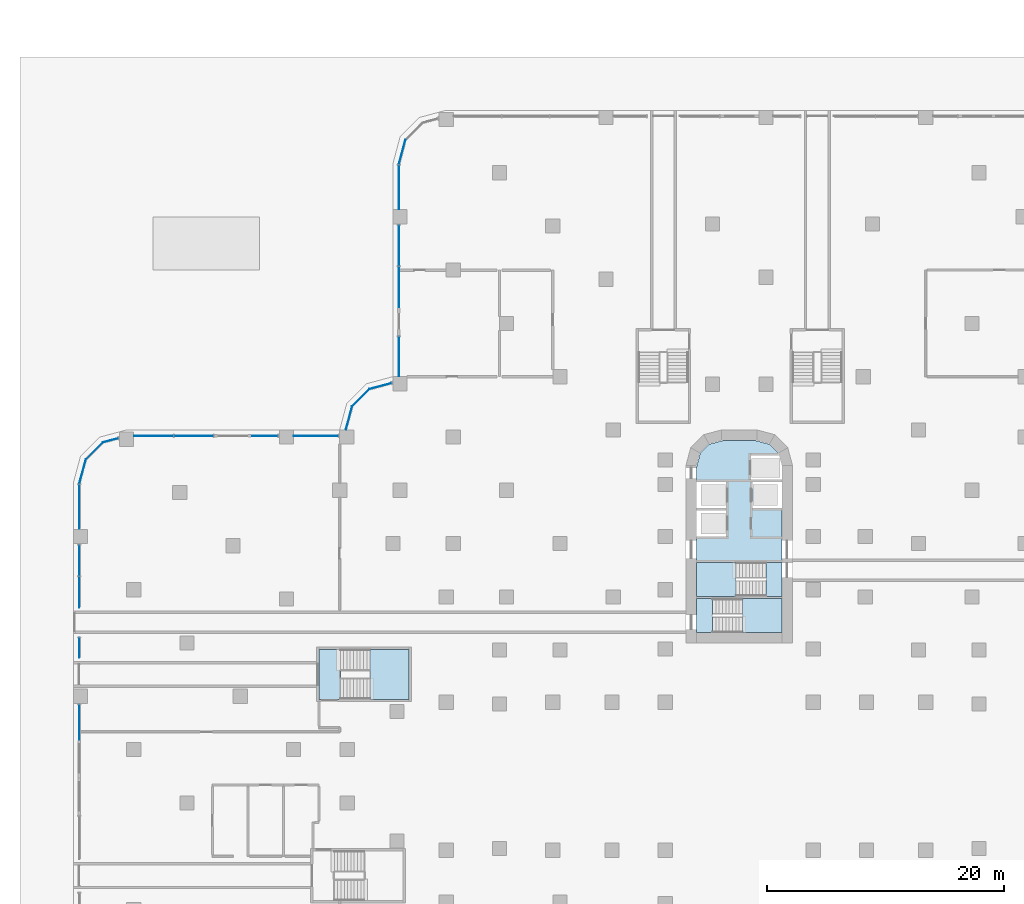
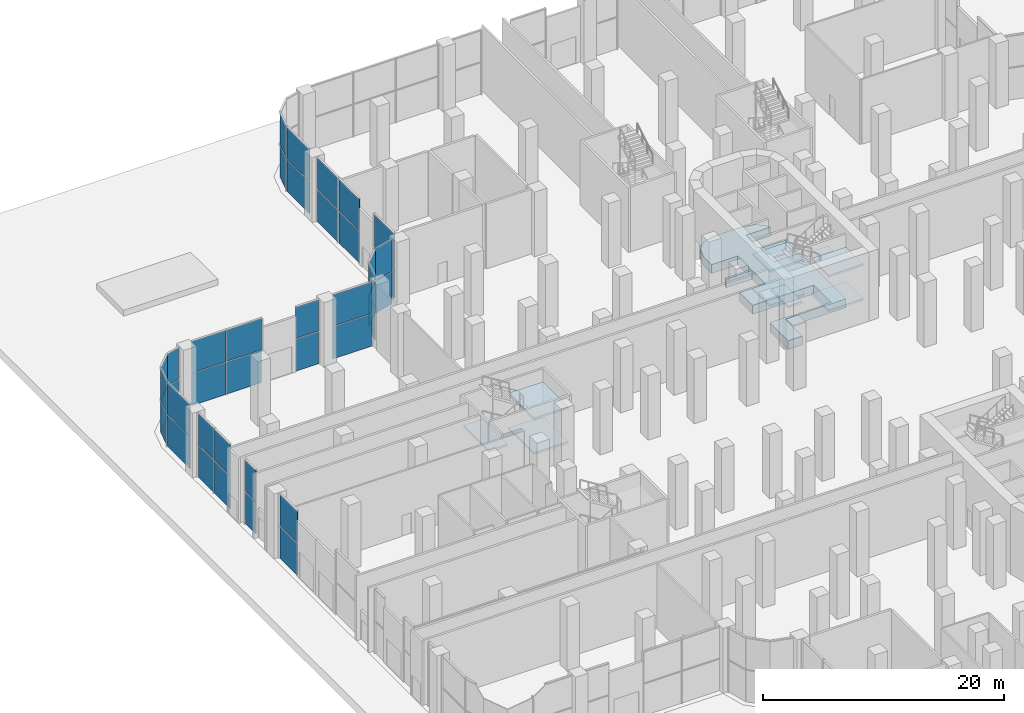
# One storey, part 17 of 34: 40 plates, 10 slabs, 13 elements without a shape of their own.
"""IFC4 building model written with IfcOpenShell, lengths in metres."""

from ifc_helpers import new_model, si_unit, direction, frame, origin, place, context, subcontext, project, spatial, polyline, outline, extrude, source, transform, mapped, material, layer, layer_set, type_object, element, aggregate, save


model = new_model("IFC4")

# Units and contexts
model_context = context("Model", 3, precision=1e-05, world=origin(), true_north=direction((0.0, 1.0)))
body_context = subcontext(model_context, "Body", "Model", "MODEL_VIEW")
ifc_project = project(units=[si_unit("LENGTHUNIT", "METRE"), si_unit("AREAUNIT", "SQUARE_METRE"), si_unit("VOLUMEUNIT", "CUBIC_METRE"), si_unit("PLANEANGLEUNIT", "RADIAN"), si_unit("MASSUNIT", "GRAM", prefix="KILO")], contexts=[model_context])

# Site, building, storey
site_placement = place(None, origin())
site = spatial("IfcSite", under=ifc_project, at=site_placement, CompositionType="ELEMENT")
building_placement = place(site_placement, origin())
building = spatial("IfcBuilding", under=site, at=building_placement, Name="Zarbagh Exchange Tower", CompositionType="ELEMENT")
storey_placement = place(building_placement, origin())
storey = spatial("IfcBuildingStorey", under=building, at=storey_placement, Name="L00", CompositionType="ELEMENT", Elevation=0.0)

# Slab
ifc_material_1 = material(Name="Concrete C50/60", Category="concrete")
ifc_layer_1 = layer(ifc_material_1, 0.89990234375)
ifc_layer_set_1 = layer_set([ifc_layer_1], Name="Core floor slab 900 C50/60")
slab_type_1 = type_object("IfcSlabType", Name="Core floor slab 900 C50/60", PredefinedType="FLOOR", material=ifc_layer_set_1)
slab_1_placement = place(storey_placement, frame((0.0, 0.0, -0.89990234375)))
element("IfcSlab", 1, at=slab_1_placement, inside=storey, type_object=slab_type_1, Name="S15 core N", PredefinedType="FLOOR", context=body_context, shape_type="SweptSolid", body=[
    extrude(outline(polyline([(-3.60009765625, 12.14990234375), (-3.60009765625, 15.199951171875), (2.25, 15.199951171875), (2.25, 18.050048828125), (-3.60009765625, 18.050048828125), (-3.60009765625, 20.25), (-1.10009765625, 20.25), (-1.10009765625, 22.449951171875), (-3.60009765625, 22.449951171875), (-3.60009765625, 22.64990234375), (-1.10009765625, 22.64990234375), (-1.10009765625, 24.85009765625), (-3.60009765625, 24.85009765625), (-3.60009765625, 26.131591796875), (-3.291259765625, 27.2841796875), (-2.5341796875, 28.041259765625), (-1.381591796875, 28.35009765625), (1.381591796875, 28.35009765625), (2.5341796875, 28.041259765625), (3.291259765625, 27.2841796875), (3.340576171875, 27.10009765625), (1.0, 27.10009765625), (1.0, 25.050048828125), (3.60009765625, 25.050048828125), (3.60009765625, 24.85009765625), (1.10009765625, 24.85009765625), (1.10009765625, 22.64990234375), (3.60009765625, 22.64990234375), (3.60009765625, 15.0), (-2.25, 15.0), (-2.25, 12.14990234375), (-3.60009765625, 12.14990234375)])), origin(), (0.0, 0.0, 1.0), 0.89990234375),
])

# Stair, slabs
ifc_material_2 = material(Name="Concrete C40/50", Category="concrete")
stair_type = type_object("IfcStairType", Name="Exit stair two-flight half-turn", PredefinedType="HALF_TURN_STAIR", material=ifc_material_2)
stair_1_placement = place(storey_placement, origin())
stair_1 = element("IfcStair", 2, at=stair_1_placement, inside=storey, type_object=stair_type, Name="exit stair ST1", PredefinedType="HALF_TURN_STAIR")
ifc_layer_2 = layer(ifc_material_2, 0.199951171875)
ifc_layer_set_2 = layer_set([ifc_layer_2], Name="Stair landing 200 mm")
slab_type_2 = type_object("IfcSlabType", Name="Stair landing 200 mm", PredefinedType="LANDING", material=ifc_layer_set_2)
slab_2_placement = place(storey_placement, frame((0.0, 0.0, 1.550048828125)))
slab_2 = element("IfcSlab", 3, at=slab_2_placement, type_object=slab_type_2, Name="ST1 landing 1", PredefinedType="LANDING", context=body_context, shape_type="SweptSolid", body=[
    extrude(outline(polyline([(-0.27001953125, 18.050048828125), (-3.60009765625, 18.050048828125), (-3.60009765625, 15.199951171875), (-0.27001953125, 15.199951171875), (-0.27001953125, 18.050048828125)])), origin(), (0.0, 0.0, 1.0), 0.199951171875),
])
slab_3_placement = place(storey_placement, frame((0.0, 0.0, 3.300048828125)))
slab_3 = element("IfcSlab", 4, at=slab_3_placement, type_object=slab_type_2, Name="ST1 landing 2", PredefinedType="LANDING", context=body_context, shape_type="SweptSolid", body=[
    extrude(outline(polyline([(3.60009765625, 18.050048828125), (2.25, 18.050048828125), (2.25, 15.199951171875), (3.60009765625, 15.199951171875), (3.60009765625, 18.050048828125)])), origin(), (0.0, 0.0, 1.0), 0.199951171875),
])
slab_4_placement = place(storey_placement, frame((0.0, 0.0, 5.050048828125)))
slab_4 = element("IfcSlab", 5, at=slab_4_placement, type_object=slab_type_2, Name="ST1 landing 3", PredefinedType="LANDING", context=body_context, shape_type="SweptSolid", body=[
    extrude(outline(polyline([(-0.27001953125, 18.050048828125), (-3.60009765625, 18.050048828125), (-3.60009765625, 15.199951171875), (-0.27001953125, 15.199951171875), (-0.27001953125, 18.050048828125)])), origin(), (0.0, 0.0, 1.0), 0.199951171875),
])
aggregate(stair_1, [slab_2, slab_3, slab_4])

stair_2_placement = place(storey_placement, origin())
stair_2 = element("IfcStair", 6, at=stair_2_placement, inside=storey, type_object=stair_type, Name="exit stair ST2", PredefinedType="HALF_TURN_STAIR")
slab_5_placement = place(storey_placement, frame((0.0, 0.0, 1.550048828125)))
slab_5 = element("IfcSlab", 7, at=slab_5_placement, type_object=slab_type_2, Name="ST2 landing 1", PredefinedType="LANDING", context=body_context, shape_type="SweptSolid", body=[
    extrude(outline(polyline([(0.27001953125, 12.14990234375), (3.60009765625, 12.14990234375), (3.60009765625, 15.0), (0.27001953125, 15.0), (0.27001953125, 12.14990234375)])), origin(), (0.0, 0.0, 1.0), 0.199951171875),
])
slab_6_placement = place(storey_placement, frame((0.0, 0.0, 3.300048828125)))
slab_6 = element("IfcSlab", 8, at=slab_6_placement, type_object=slab_type_2, Name="ST2 landing 2", PredefinedType="LANDING", context=body_context, shape_type="SweptSolid", body=[
    extrude(outline(polyline([(-3.60009765625, 12.14990234375), (-2.25, 12.14990234375), (-2.25, 15.0), (-3.60009765625, 15.0), (-3.60009765625, 12.14990234375)])), origin(), (0.0, 0.0, 1.0), 0.199951171875),
])
slab_7_placement = place(storey_placement, frame((0.0, 0.0, 5.050048828125)))
slab_7 = element("IfcSlab", 9, at=slab_7_placement, type_object=slab_type_2, Name="ST2 landing 3", PredefinedType="LANDING", context=body_context, shape_type="SweptSolid", body=[
    extrude(outline(polyline([(0.27001953125, 12.14990234375), (3.60009765625, 12.14990234375), (3.60009765625, 15.0), (0.27001953125, 15.0), (0.27001953125, 12.14990234375)])), origin(), (0.0, 0.0, 1.0), 0.199951171875),
])
aggregate(stair_2, [slab_5, slab_6, slab_7])

stair_3_placement = place(storey_placement, origin())
stair_3 = element("IfcStair", 10, at=stair_3_placement, inside=storey, type_object=stair_type, Name="exit stair PS5", PredefinedType="HALF_TURN_STAIR")
slab_8_placement = place(storey_placement, frame((0.0, 0.0, 1.550048828125)))
slab_8 = element("IfcSlab", 11, at=slab_8_placement, type_object=slab_type_2, Name="PS5 landing 1", PredefinedType="LANDING", context=body_context, shape_type="SweptSolid", body=[
    extrude(outline(polyline([(-31.179931640625, 6.5), (-27.89990234375, 6.5), (-27.89990234375, 10.699951171875), (-31.179931640625, 10.699951171875), (-31.179931640625, 6.5)])), origin(), (0.0, 0.0, 1.0), 0.199951171875),
])
slab_9_placement = place(storey_placement, frame((0.0, 0.0, 3.300048828125)))
slab_9 = element("IfcSlab", 12, at=slab_9_placement, type_object=slab_type_2, Name="PS5 landing 2", PredefinedType="LANDING", context=body_context, shape_type="SweptSolid", body=[
    extrude(outline(polyline([(-35.5, 6.5), (-33.699951171875, 6.5), (-33.699951171875, 10.699951171875), (-35.5, 10.699951171875), (-35.5, 6.5)])), origin(), (0.0, 0.0, 1.0), 0.199951171875),
])
slab_10_placement = place(storey_placement, frame((0.0, 0.0, 5.050048828125)))
slab_10 = element("IfcSlab", 13, at=slab_10_placement, type_object=slab_type_2, Name="PS5 landing 3", PredefinedType="LANDING", context=body_context, shape_type="SweptSolid", body=[
    extrude(outline(polyline([(-31.179931640625, 6.5), (-27.89990234375, 6.5), (-27.89990234375, 10.699951171875), (-31.179931640625, 10.699951171875), (-31.179931640625, 6.5)])), origin(), (0.0, 0.0, 1.0), 0.199951171875),
])
aggregate(stair_3, [slab_8, slab_9, slab_10])

# Curtain wall, plate
ifc_material_3 = material(Name="Anodised aluminium frame and glazing", Category="aluminium")
curtain_wall_type = type_object("IfcCurtainWallType", Name="CWC Podium garden-wall glazing", PredefinedType="NOTDEFINED", material=ifc_material_3)
curtain_wall_1_placement = place(storey_placement, origin())
curtain_wall_1 = element("IfcCurtainWall", 14, at=curtain_wall_1_placement, inside=storey, type_object=curtain_wall_type, Name="CWC29 curtain wall", PredefinedType="NOTDEFINED")
ifc_material_4 = material(Name="Low-e double glazed unit, 6+12+6 mm")
ifc_layer_3 = layer(ifc_material_4, 0.031982421875)
ifc_layer_set_3 = layer_set([ifc_layer_3], Name="PAC Glazing panel, Low-e double glazed unit, 6+12+6 mm")
plate_type = type_object("IfcPlateType", Name="PAC Glazing panel, Low-e double glazed unit, 6+12+6 mm", PredefinedType="CURTAIN_PANEL", material=ifc_layer_set_3)
shared_shape_1 = source(origin(), body_context, "Body", "SweptSolid", [
    extrude(outline(polyline([(0.0, -0.01611328125), (3.714111328125, -0.01611328125), (3.714111328125, 0.01611328125), (0.0, 0.01611328125), (0.0, -0.01611328125)])), origin(), (0.0, 0.0, 1.0), 3.235107421875),
])
placement = place(storey_placement, origin())
plate_1 = element("IfcPlate", 15, at=placement, type_object=plate_type, Name="CWC29 glazing panel 1.1", PredefinedType="CURTAIN_PANEL", context=body_context, shape_type="MappedRepresentation", body=[
    mapped(shared_shape_1, transform((-28.75, 51.604248046875, 0.0), x_axis=(0.0, -1.0, 0.0), y_axis=(1.0, 0.0, 0.0), z_axis=(0.0, 0.0, 1.0))),
])

curtain_wall_2_placement = place(storey_placement, origin())
curtain_wall_2 = element("IfcCurtainWall", 16, at=curtain_wall_2_placement, inside=storey, type_object=curtain_wall_type, Name="CWC37 curtain wall", PredefinedType="NOTDEFINED")
plate_2 = element("IfcPlate", 17, at=placement, type_object=plate_type, Name="CWC37 glazing panel 1.1", PredefinedType="CURTAIN_PANEL", context=body_context, shape_type="MappedRepresentation", body=[
    mapped(shared_shape_1, transform((-55.75, 24.604248046875, 0.0), x_axis=(0.0, -1.0, 0.0), y_axis=(1.0, 0.0, 0.0), z_axis=(0.0, 0.0, 1.0))),
])

# Plate
shared_shape_2 = source(origin(), body_context, "Body", "SweptSolid", [
    extrude(outline(polyline([(0.0, -0.01611328125), (3.714111328125, -0.01611328125), (3.714111328125, 0.01611328125), (0.0, 0.01611328125), (0.0, -0.01611328125)])), origin(), (0.0, 0.0, 1.0), 3.155029296875),
])
plate_3 = element("IfcPlate", 18, at=placement, type_object=plate_type, Name="CWC29 glazing panel 1.1", PredefinedType="CURTAIN_PANEL", context=body_context, shape_type="MappedRepresentation", body=[
    mapped(shared_shape_2, transform((-28.75, 51.604248046875, 3.31494140625), x_axis=(0.0, -1.0, 0.0), y_axis=(1.0, 0.0, 0.0), z_axis=(0.0, 0.0, 1.0))),
])

plate_4 = element("IfcPlate", 19, at=placement, type_object=plate_type, Name="CWC37 glazing panel 1.1", PredefinedType="CURTAIN_PANEL", context=body_context, shape_type="MappedRepresentation", body=[
    mapped(shared_shape_2, transform((-55.75, 24.604248046875, 3.31494140625), x_axis=(0.0, -1.0, 0.0), y_axis=(1.0, 0.0, 0.0), z_axis=(0.0, 0.0, 1.0))),
])

# Curtain wall, plate
curtain_wall_3_placement = place(storey_placement, origin())
curtain_wall_3 = element("IfcCurtainWall", 20, at=curtain_wall_3_placement, inside=storey, type_object=curtain_wall_type, Name="CWC31 curtain wall", PredefinedType="NOTDEFINED")
shared_shape_3 = source(origin(), body_context, "Body", "SweptSolid", [
    extrude(outline(polyline([(0.0, -0.01611328125), (2.061279296875, -0.01611328125), (2.061279296875, 0.01611328125), (0.0, 0.01611328125), (0.0, -0.01611328125)])), origin(), (0.0, 0.0, 1.0), 3.235107421875),
])
plate_5 = element("IfcPlate", 21, at=placement, type_object=plate_type, Name="CWC31 glazing panel 1.1", PredefinedType="CURTAIN_PANEL", context=body_context, shape_type="MappedRepresentation", body=[
    mapped(shared_shape_3, transform((-31.2412109375, 32.69873046875, 0.0), x_axis=(-0.707106781187, -0.707106781187, 0.0), y_axis=(0.707106781187, -0.707106781187, 0.0), z_axis=(0.0, 0.0, 1.0))),
])

curtain_wall_4_placement = place(storey_placement, origin())
curtain_wall_4 = element("IfcCurtainWall", 22, at=curtain_wall_4_placement, inside=storey, type_object=curtain_wall_type, Name="CWC35 curtain wall", PredefinedType="NOTDEFINED")
plate_6 = element("IfcPlate", 23, at=placement, type_object=plate_type, Name="CWC35 glazing panel 1.1", PredefinedType="CURTAIN_PANEL", context=body_context, shape_type="MappedRepresentation", body=[
    mapped(shared_shape_3, transform((-53.7412109375, 28.19873046875, 0.0), x_axis=(-0.707106781187, -0.707106781187, 0.0), y_axis=(0.707106781187, -0.707106781187, 0.0), z_axis=(0.0, 0.0, 1.0))),
])

# Plate
shared_shape_4 = source(origin(), body_context, "Body", "SweptSolid", [
    extrude(outline(polyline([(0.0, -0.01611328125), (2.061279296875, -0.01611328125), (2.061279296875, 0.01611328125), (0.0, 0.01611328125), (0.0, -0.01611328125)])), origin(), (0.0, 0.0, 1.0), 3.155029296875),
])
plate_7 = element("IfcPlate", 24, at=placement, type_object=plate_type, Name="CWC31 glazing panel 1.1", PredefinedType="CURTAIN_PANEL", context=body_context, shape_type="MappedRepresentation", body=[
    mapped(shared_shape_4, transform((-31.2412109375, 32.69873046875, 3.31494140625), x_axis=(-0.707106781187, -0.707106781187, 0.0), y_axis=(0.707106781187, -0.707106781187, 0.0), z_axis=(0.0, 0.0, 1.0))),
])

aggregate(curtain_wall_3, [plate_5, plate_7])

plate_8 = element("IfcPlate", 25, at=placement, type_object=plate_type, Name="CWC35 glazing panel 1.1", PredefinedType="CURTAIN_PANEL", context=body_context, shape_type="MappedRepresentation", body=[
    mapped(shared_shape_4, transform((-53.7412109375, 28.19873046875, 3.31494140625), x_axis=(-0.707106781187, -0.707106781187, 0.0), y_axis=(0.707106781187, -0.707106781187, 0.0), z_axis=(0.0, 0.0, 1.0))),
])

aggregate(curtain_wall_4, [plate_6, plate_8])

# Curtain wall, plates
curtain_wall_5_placement = place(storey_placement, origin())
curtain_wall_5 = element("IfcCurtainWall", 26, at=curtain_wall_5_placement, inside=storey, type_object=curtain_wall_type, Name="CWC33 curtain wall", PredefinedType="NOTDEFINED")
shared_shape_5 = source(origin(), body_context, "Body", "SweptSolid", [
    extrude(outline(polyline([(0.0, -0.01611328125), (3.739990234375, -0.01611328125), (3.739990234375, 0.01611328125), (0.0, 0.01611328125), (0.0, -0.01611328125)])), origin(), (0.0, 0.0, 1.0), 3.235107421875),
])
plate_9 = element("IfcPlate", 27, at=placement, type_object=plate_type, Name="CWC33 glazing panel 1.1", PredefinedType="CURTAIN_PANEL", context=body_context, shape_type="MappedRepresentation", body=[
    mapped(shared_shape_5, transform((-33.8701171875, 28.75, 0.0), x_axis=(-1.0, 0.0, 0.0), y_axis=(0.0, -1.0, 0.0), z_axis=(0.0, 0.0, 1.0))),
])
shared_shape_6 = source(origin(), body_context, "Body", "SweptSolid", [
    extrude(outline(polyline([(0.0, -0.01611328125), (3.739990234375, -0.01611328125), (3.739990234375, 0.01611328125), (0.0, 0.01611328125), (0.0, -0.01611328125)])), origin(), (0.0, 0.0, 1.0), 3.155029296875),
])
plate_10 = element("IfcPlate", 28, at=placement, type_object=plate_type, Name="CWC33 glazing panel 1.1", PredefinedType="CURTAIN_PANEL", context=body_context, shape_type="MappedRepresentation", body=[
    mapped(shared_shape_6, transform((-33.8701171875, 28.75, 3.31494140625), x_axis=(-1.0, 0.0, 0.0), y_axis=(0.0, -1.0, 0.0), z_axis=(0.0, 0.0, 1.0))),
])

curtain_wall_6_placement = place(storey_placement, origin())
curtain_wall_6 = element("IfcCurtainWall", 29, at=curtain_wall_6_placement, inside=storey, type_object=curtain_wall_type, Name="CWC30 curtain wall", PredefinedType="NOTDEFINED")
shared_shape_7 = source(origin(), body_context, "Body", "SweptSolid", [
    extrude(outline(polyline([(0.0, -0.01611328125), (1.93994140625, -0.01611328125), (1.93994140625, 0.01611328125), (0.0, 0.01611328125), (0.0, -0.01611328125)])), origin(), (0.0, 0.0, 1.0), 3.235107421875),
])
plate_11 = element("IfcPlate", 30, at=placement, type_object=plate_type, Name="CWC30 glazing panel 1.1", PredefinedType="CURTAIN_PANEL", context=body_context, shape_type="MappedRepresentation", body=[
    mapped(shared_shape_7, transform((-29.367431640625, 33.200927734375, 0.0), x_axis=(-0.965924289636, -0.258824779902, 0.0), y_axis=(0.258824779902, -0.965924289636, 0.0), z_axis=(0.0, 0.0, 1.0))),
])
shared_shape_8 = source(origin(), body_context, "Body", "SweptSolid", [
    extrude(outline(polyline([(0.0, -0.01611328125), (1.93994140625, -0.01611328125), (1.93994140625, 0.01611328125), (0.0, 0.01611328125), (0.0, -0.01611328125)])), origin(), (0.0, 0.0, 1.0), 3.155029296875),
])
plate_12 = element("IfcPlate", 31, at=placement, type_object=plate_type, Name="CWC30 glazing panel 1.1", PredefinedType="CURTAIN_PANEL", context=body_context, shape_type="MappedRepresentation", body=[
    mapped(shared_shape_8, transform((-29.367431640625, 33.200927734375, 3.31494140625), x_axis=(-0.965924289636, -0.258824779902, 0.0), y_axis=(0.258824779902, -0.965924289636, 0.0), z_axis=(0.0, 0.0, 1.0))),
])
aggregate(curtain_wall_6, [plate_11, plate_12])

curtain_wall_7_placement = place(storey_placement, origin())
curtain_wall_7 = element("IfcCurtainWall", 32, at=curtain_wall_7_placement, inside=storey, type_object=curtain_wall_type, Name="CWC32 curtain wall", PredefinedType="NOTDEFINED")
shared_shape_9 = source(origin(), body_context, "Body", "SweptSolid", [
    extrude(outline(polyline([(0.0, -0.01611328125), (2.02001953125, -0.01611328125), (2.02001953125, 0.01611328125), (0.0, 0.01611328125), (0.0, -0.01611328125)])), origin(), (0.0, 0.0, 1.0), 3.235107421875),
])
plate_13 = element("IfcPlate", 33, at=placement, type_object=plate_type, Name="CWC32 glazing panel 1.1", PredefinedType="CURTAIN_PANEL", context=body_context, shape_type="MappedRepresentation", body=[
    mapped(shared_shape_9, transform((-32.69873046875, 31.2412109375, 0.0), x_axis=(-0.258824779902, -0.965924289636, 0.0), y_axis=(0.965924289636, -0.258824779902, 0.0), z_axis=(0.0, 0.0, 1.0))),
])
shared_shape_10 = source(origin(), body_context, "Body", "SweptSolid", [
    extrude(outline(polyline([(0.0, -0.01611328125), (2.02001953125, -0.01611328125), (2.02001953125, 0.01611328125), (0.0, 0.01611328125), (0.0, -0.01611328125)])), origin(), (0.0, 0.0, 1.0), 3.155029296875),
])
plate_14 = element("IfcPlate", 34, at=placement, type_object=plate_type, Name="CWC32 glazing panel 1.1", PredefinedType="CURTAIN_PANEL", context=body_context, shape_type="MappedRepresentation", body=[
    mapped(shared_shape_10, transform((-32.69873046875, 31.2412109375, 3.31494140625), x_axis=(-0.258824779902, -0.965924289636, 0.0), y_axis=(0.965924289636, -0.258824779902, 0.0), z_axis=(0.0, 0.0, 1.0))),
])
aggregate(curtain_wall_7, [plate_13, plate_14])

# Curtain wall, plate
curtain_wall_8_placement = place(storey_placement, origin())
curtain_wall_8 = element("IfcCurtainWall", 35, at=curtain_wall_8_placement, inside=storey, type_object=curtain_wall_type, Name="CWC28 curtain wall", PredefinedType="NOTDEFINED")
shared_shape_11 = source(origin(), body_context, "Body", "SweptSolid", [
    extrude(outline(polyline([(0.0, -0.01611328125), (2.129638671875, -0.01611328125), (2.129638671875, 0.01611328125), (0.0, 0.01611328125), (0.0, -0.01611328125)])), origin(), (0.0, 0.0, 1.0), 3.235107421875),
])
plate_15 = element("IfcPlate", 36, at=placement, type_object=plate_type, Name="CWC28 glazing panel 1.1", PredefinedType="CURTAIN_PANEL", context=body_context, shape_type="MappedRepresentation", body=[
    mapped(shared_shape_11, transform((-28.19873046875, 53.7412109375, 0.0), x_axis=(-0.258824779902, -0.965924289636, 0.0), y_axis=(0.965924289636, -0.258824779902, 0.0), z_axis=(0.0, 0.0, 1.0))),
])

curtain_wall_9_placement = place(storey_placement, origin())
curtain_wall_9 = element("IfcCurtainWall", 37, at=curtain_wall_9_placement, inside=storey, type_object=curtain_wall_type, Name="CWC36 curtain wall", PredefinedType="NOTDEFINED")
plate_16 = element("IfcPlate", 38, at=placement, type_object=plate_type, Name="CWC36 glazing panel 1.1", PredefinedType="CURTAIN_PANEL", context=body_context, shape_type="MappedRepresentation", body=[
    mapped(shared_shape_11, transform((-55.19873046875, 26.7412109375, 0.0), x_axis=(-0.258824779902, -0.965924289636, 0.0), y_axis=(0.965924289636, -0.258824779902, 0.0), z_axis=(0.0, 0.0, 1.0))),
])

# Plate
shared_shape_12 = source(origin(), body_context, "Body", "SweptSolid", [
    extrude(outline(polyline([(0.0, -0.01611328125), (2.129638671875, -0.01611328125), (2.129638671875, 0.01611328125), (0.0, 0.01611328125), (0.0, -0.01611328125)])), origin(), (0.0, 0.0, 1.0), 3.155029296875),
])
plate_17 = element("IfcPlate", 39, at=placement, type_object=plate_type, Name="CWC28 glazing panel 1.1", PredefinedType="CURTAIN_PANEL", context=body_context, shape_type="MappedRepresentation", body=[
    mapped(shared_shape_12, transform((-28.19873046875, 53.7412109375, 3.31494140625), x_axis=(-0.258824779902, -0.965924289636, 0.0), y_axis=(0.965924289636, -0.258824779902, 0.0), z_axis=(0.0, 0.0, 1.0))),
])

aggregate(curtain_wall_8, [plate_15, plate_17])

plate_18 = element("IfcPlate", 40, at=placement, type_object=plate_type, Name="CWC36 glazing panel 1.1", PredefinedType="CURTAIN_PANEL", context=body_context, shape_type="MappedRepresentation", body=[
    mapped(shared_shape_12, transform((-55.19873046875, 26.7412109375, 3.31494140625), x_axis=(-0.258824779902, -0.965924289636, 0.0), y_axis=(0.965924289636, -0.258824779902, 0.0), z_axis=(0.0, 0.0, 1.0))),
])

aggregate(curtain_wall_9, [plate_16, plate_18])

shared_shape_13 = source(origin(), body_context, "Body", "SweptSolid", [
    extrude(outline(polyline([(0.0, -0.01611328125), (2.929931640625, -0.01611328125), (2.929931640625, 0.01611328125), (0.0, 0.01611328125), (0.0, -0.01611328125)])), origin(), (0.0, 0.0, 1.0), 3.235107421875),
])
plate_19 = element("IfcPlate", 41, at=placement, type_object=plate_type, Name="CWC37 glazing panel 4.1", PredefinedType="CURTAIN_PANEL", context=body_context, shape_type="MappedRepresentation", body=[
    mapped(shared_shape_13, transform((-55.75, 6.030029296875, 0.0), x_axis=(0.0, -1.0, 0.0), y_axis=(1.0, 0.0, 0.0), z_axis=(0.0, 0.0, 1.0))),
])

shared_shape_14 = source(origin(), body_context, "Body", "SweptSolid", [
    extrude(outline(polyline([(0.0, -0.01611328125), (2.929931640625, -0.01611328125), (2.929931640625, 0.01611328125), (0.0, 0.01611328125), (0.0, -0.01611328125)])), origin(), (0.0, 0.0, 1.0), 3.155029296875),
])
plate_20 = element("IfcPlate", 42, at=placement, type_object=plate_type, Name="CWC37 glazing panel 4.1", PredefinedType="CURTAIN_PANEL", context=body_context, shape_type="MappedRepresentation", body=[
    mapped(shared_shape_14, transform((-55.75, 6.030029296875, 3.31494140625), x_axis=(0.0, -1.0, 0.0), y_axis=(1.0, 0.0, 0.0), z_axis=(0.0, 0.0, 1.0))),
])

shared_shape_15 = source(origin(), body_context, "Body", "SweptSolid", [
    extrude(outline(polyline([(0.0, -0.01611328125), (3.330078125, -0.01611328125), (3.330078125, 0.01611328125), (0.0, 0.01611328125), (0.0, -0.01611328125)])), origin(), (0.0, 0.0, 1.0), 3.235107421875),
])
plate_21 = element("IfcPlate", 43, at=placement, type_object=plate_type, Name="CWC29 glazing panel 3.1", PredefinedType="CURTAIN_PANEL", context=body_context, shape_type="MappedRepresentation", body=[
    mapped(shared_shape_15, transform((-28.75, 37.1201171875, 0.0), x_axis=(0.0, -1.0, 0.0), y_axis=(1.0, 0.0, 0.0), z_axis=(0.0, 0.0, 1.0))),
])

shared_shape_16 = source(origin(), body_context, "Body", "SweptSolid", [
    extrude(outline(polyline([(0.0, -0.01611328125), (3.330078125, -0.01611328125), (3.330078125, 0.01611328125), (0.0, 0.01611328125), (0.0, -0.01611328125)])), origin(), (0.0, 0.0, 1.0), 3.155029296875),
])
plate_22 = element("IfcPlate", 44, at=placement, type_object=plate_type, Name="CWC29 glazing panel 3.1", PredefinedType="CURTAIN_PANEL", context=body_context, shape_type="MappedRepresentation", body=[
    mapped(shared_shape_16, transform((-28.75, 37.1201171875, 3.31494140625), x_axis=(0.0, -1.0, 0.0), y_axis=(1.0, 0.0, 0.0), z_axis=(0.0, 0.0, 1.0))),
])

# Curtain wall, plates
curtain_wall_10_placement = place(storey_placement, origin())
curtain_wall_10 = element("IfcCurtainWall", 45, at=curtain_wall_10_placement, inside=storey, type_object=curtain_wall_type, Name="CWC34 curtain wall", PredefinedType="NOTDEFINED")
shared_shape_17 = source(origin(), body_context, "Body", "SweptSolid", [
    extrude(outline(polyline([(0.0, -0.01611328125), (1.31884765625, -0.01611328125), (1.31884765625, 0.01611328125), (0.0, 0.01611328125), (0.0, -0.01611328125)])), origin(), (0.0, 0.0, 1.0), 3.235107421875),
])
plate_23 = element("IfcPlate", 46, at=placement, type_object=plate_type, Name="CWC34 glazing panel 1.1", PredefinedType="CURTAIN_PANEL", context=body_context, shape_type="MappedRepresentation", body=[
    mapped(shared_shape_17, transform((-52.46728515625, 28.540283203125, 0.0), x_axis=(-0.965924289636, -0.258824779902, 0.0), y_axis=(0.258824779902, -0.965924289636, 0.0), z_axis=(0.0, 0.0, 1.0))),
])
shared_shape_18 = source(origin(), body_context, "Body", "SweptSolid", [
    extrude(outline(polyline([(0.0, -0.01611328125), (1.31884765625, -0.01611328125), (1.31884765625, 0.01611328125), (0.0, 0.01611328125), (0.0, -0.01611328125)])), origin(), (0.0, 0.0, 1.0), 3.155029296875),
])
plate_24 = element("IfcPlate", 47, at=placement, type_object=plate_type, Name="CWC34 glazing panel 1.1", PredefinedType="CURTAIN_PANEL", context=body_context, shape_type="MappedRepresentation", body=[
    mapped(shared_shape_18, transform((-52.46728515625, 28.540283203125, 3.31494140625), x_axis=(-0.965924289636, -0.258824779902, 0.0), y_axis=(0.258824779902, -0.965924289636, 0.0), z_axis=(0.0, 0.0, 1.0))),
])
aggregate(curtain_wall_10, [plate_23, plate_24])

# Plate
shared_shape_19 = source(origin(), body_context, "Body", "SweptSolid", [
    extrude(outline(polyline([(0.0, -0.01611328125), (3.425048828125, -0.01611328125), (3.425048828125, 0.01611328125), (0.0, 0.01611328125), (0.0, -0.01611328125)])), origin(), (0.0, 0.0, 1.0), 3.235107421875),
])
plate_25 = element("IfcPlate", 48, at=placement, type_object=plate_type, Name="CWC29 glazing panel 2.1", PredefinedType="CURTAIN_PANEL", context=body_context, shape_type="MappedRepresentation", body=[
    mapped(shared_shape_19, transform((-28.75, 46.530029296875, 0.0), x_axis=(0.0, -1.0, 0.0), y_axis=(1.0, 0.0, 0.0), z_axis=(0.0, 0.0, 1.0))),
])

plate_26 = element("IfcPlate", 49, at=placement, type_object=plate_type, Name="CWC29 glazing panel 2.2", PredefinedType="CURTAIN_PANEL", context=body_context, shape_type="MappedRepresentation", body=[
    mapped(shared_shape_19, transform((-28.75, 43.02490234375, 0.0), x_axis=(0.0, -1.0, 0.0), y_axis=(1.0, 0.0, 0.0), z_axis=(0.0, 0.0, 1.0))),
])

shared_shape_20 = source(origin(), body_context, "Body", "SweptSolid", [
    extrude(outline(polyline([(0.0, -0.01611328125), (3.425048828125, -0.01611328125), (3.425048828125, 0.01611328125), (0.0, 0.01611328125), (0.0, -0.01611328125)])), origin(), (0.0, 0.0, 1.0), 3.155029296875),
])
plate_27 = element("IfcPlate", 50, at=placement, type_object=plate_type, Name="CWC29 glazing panel 2.1", PredefinedType="CURTAIN_PANEL", context=body_context, shape_type="MappedRepresentation", body=[
    mapped(shared_shape_20, transform((-28.75, 46.530029296875, 3.31494140625), x_axis=(0.0, -1.0, 0.0), y_axis=(1.0, 0.0, 0.0), z_axis=(0.0, 0.0, 1.0))),
])

plate_28 = element("IfcPlate", 51, at=placement, type_object=plate_type, Name="CWC29 glazing panel 2.2", PredefinedType="CURTAIN_PANEL", context=body_context, shape_type="MappedRepresentation", body=[
    mapped(shared_shape_20, transform((-28.75, 43.02490234375, 3.31494140625), x_axis=(0.0, -1.0, 0.0), y_axis=(1.0, 0.0, 0.0), z_axis=(0.0, 0.0, 1.0))),
])

aggregate(curtain_wall_1, [plate_1, plate_3, plate_25, plate_27, plate_26, plate_28, plate_21, plate_22])

shared_shape_21 = source(origin(), body_context, "Body", "SweptSolid", [
    extrude(outline(polyline([(0.0, -0.01611328125), (2.179931640625, -0.01611328125), (2.179931640625, 0.01611328125), (0.0, 0.01611328125), (0.0, -0.01611328125)])), origin(), (0.0, 0.0, 1.0), 3.235107421875),
])
plate_29 = element("IfcPlate", 52, at=placement, type_object=plate_type, Name="CWC33 glazing panel 2.1", PredefinedType="CURTAIN_PANEL", context=body_context, shape_type="MappedRepresentation", body=[
    mapped(shared_shape_21, transform((-38.969970703125, 28.75, 0.0), x_axis=(-1.0, 0.0, 0.0), y_axis=(0.0, -1.0, 0.0), z_axis=(0.0, 0.0, 1.0))),
])

shared_shape_22 = source(origin(), body_context, "Body", "SweptSolid", [
    extrude(outline(polyline([(0.0, -0.01611328125), (2.179931640625, -0.01611328125), (2.179931640625, 0.01611328125), (0.0, 0.01611328125), (0.0, -0.01611328125)])), origin(), (0.0, 0.0, 1.0), 3.155029296875),
])
plate_30 = element("IfcPlate", 53, at=placement, type_object=plate_type, Name="CWC33 glazing panel 2.1", PredefinedType="CURTAIN_PANEL", context=body_context, shape_type="MappedRepresentation", body=[
    mapped(shared_shape_22, transform((-38.969970703125, 28.75, 3.31494140625), x_axis=(-1.0, 0.0, 0.0), y_axis=(0.0, -1.0, 0.0), z_axis=(0.0, 0.0, 1.0))),
])

shared_shape_23 = source(origin(), body_context, "Body", "SweptSolid", [
    extrude(outline(polyline([(0.0, -0.01611328125), (3.300048828125, -0.01611328125), (3.300048828125, 0.01611328125), (0.0, 0.01611328125), (0.0, -0.01611328125)])), origin(), (0.0, 0.0, 1.0), 3.235107421875),
])
plate_31 = element("IfcPlate", 54, at=placement, type_object=plate_type, Name="CWC33 glazing panel 3.1", PredefinedType="CURTAIN_PANEL", context=body_context, shape_type="MappedRepresentation", body=[
    mapped(shared_shape_23, transform((-44.429931640625, 28.75, 0.0), x_axis=(-1.0, 0.0, 0.0), y_axis=(0.0, -1.0, 0.0), z_axis=(0.0, 0.0, 1.0))),
])

plate_32 = element("IfcPlate", 55, at=placement, type_object=plate_type, Name="CWC33 glazing panel 3.2", PredefinedType="CURTAIN_PANEL", context=body_context, shape_type="MappedRepresentation", body=[
    mapped(shared_shape_23, transform((-47.81005859375, 28.75, 0.0), x_axis=(-1.0, 0.0, 0.0), y_axis=(0.0, -1.0, 0.0), z_axis=(0.0, 0.0, 1.0))),
])

shared_shape_24 = source(origin(), body_context, "Body", "SweptSolid", [
    extrude(outline(polyline([(0.0, -0.01611328125), (3.300048828125, -0.01611328125), (3.300048828125, 0.01611328125), (0.0, 0.01611328125), (0.0, -0.01611328125)])), origin(), (0.0, 0.0, 1.0), 3.155029296875),
])
plate_33 = element("IfcPlate", 56, at=placement, type_object=plate_type, Name="CWC33 glazing panel 3.1", PredefinedType="CURTAIN_PANEL", context=body_context, shape_type="MappedRepresentation", body=[
    mapped(shared_shape_24, transform((-44.429931640625, 28.75, 3.31494140625), x_axis=(-1.0, 0.0, 0.0), y_axis=(0.0, -1.0, 0.0), z_axis=(0.0, 0.0, 1.0))),
])

plate_34 = element("IfcPlate", 57, at=placement, type_object=plate_type, Name="CWC33 glazing panel 3.2", PredefinedType="CURTAIN_PANEL", context=body_context, shape_type="MappedRepresentation", body=[
    mapped(shared_shape_24, transform((-47.81005859375, 28.75, 3.31494140625), x_axis=(-1.0, 0.0, 0.0), y_axis=(0.0, -1.0, 0.0), z_axis=(0.0, 0.0, 1.0))),
])

aggregate(curtain_wall_5, [plate_9, plate_10, plate_29, plate_30, plate_31, plate_33, plate_32, plate_34])

shared_shape_25 = source(origin(), body_context, "Body", "SweptSolid", [
    extrude(outline(polyline([(0.0, -0.01611328125), (2.60498046875, -0.01611328125), (2.60498046875, 0.01611328125), (0.0, 0.01611328125), (0.0, -0.01611328125)])), origin(), (0.0, 0.0, 1.0), 3.235107421875),
])
plate_35 = element("IfcPlate", 58, at=placement, type_object=plate_type, Name="CWC37 glazing panel 2.1", PredefinedType="CURTAIN_PANEL", context=body_context, shape_type="MappedRepresentation", body=[
    mapped(shared_shape_25, transform((-55.75, 19.530029296875, 0.0), x_axis=(0.0, -1.0, 0.0), y_axis=(1.0, 0.0, 0.0), z_axis=(0.0, 0.0, 1.0))),
])

plate_36 = element("IfcPlate", 59, at=placement, type_object=plate_type, Name="CWC37 glazing panel 2.2", PredefinedType="CURTAIN_PANEL", context=body_context, shape_type="MappedRepresentation", body=[
    mapped(shared_shape_25, transform((-55.75, 16.844970703125, 0.0), x_axis=(0.0, -1.0, 0.0), y_axis=(1.0, 0.0, 0.0), z_axis=(0.0, 0.0, 1.0))),
])

shared_shape_26 = source(origin(), body_context, "Body", "SweptSolid", [
    extrude(outline(polyline([(0.0, -0.01611328125), (2.60498046875, -0.01611328125), (2.60498046875, 0.01611328125), (0.0, 0.01611328125), (0.0, -0.01611328125)])), origin(), (0.0, 0.0, 1.0), 3.155029296875),
])
plate_37 = element("IfcPlate", 60, at=placement, type_object=plate_type, Name="CWC37 glazing panel 2.1", PredefinedType="CURTAIN_PANEL", context=body_context, shape_type="MappedRepresentation", body=[
    mapped(shared_shape_26, transform((-55.75, 19.530029296875, 3.31494140625), x_axis=(0.0, -1.0, 0.0), y_axis=(1.0, 0.0, 0.0), z_axis=(0.0, 0.0, 1.0))),
])

plate_38 = element("IfcPlate", 61, at=placement, type_object=plate_type, Name="CWC37 glazing panel 2.2", PredefinedType="CURTAIN_PANEL", context=body_context, shape_type="MappedRepresentation", body=[
    mapped(shared_shape_26, transform((-55.75, 16.844970703125, 3.31494140625), x_axis=(0.0, -1.0, 0.0), y_axis=(1.0, 0.0, 0.0), z_axis=(0.0, 0.0, 1.0))),
])

shared_shape_27 = source(origin(), body_context, "Body", "SweptSolid", [
    extrude(outline(polyline([(0.0, -0.01611328125), (1.68994140625, -0.01611328125), (1.68994140625, 0.01611328125), (0.0, 0.01611328125), (0.0, -0.01611328125)])), origin(), (0.0, 0.0, 1.0), 3.235107421875),
])
plate_39 = element("IfcPlate", 62, at=placement, type_object=plate_type, Name="CWC37 glazing panel 3.1", PredefinedType="CURTAIN_PANEL", context=body_context, shape_type="MappedRepresentation", body=[
    mapped(shared_shape_27, transform((-55.75, 11.679931640625, 0.0), x_axis=(0.0, -1.0, 0.0), y_axis=(1.0, 0.0, 0.0), z_axis=(0.0, 0.0, 1.0))),
])

shared_shape_28 = source(origin(), body_context, "Body", "SweptSolid", [
    extrude(outline(polyline([(0.0, -0.01611328125), (1.68994140625, -0.01611328125), (1.68994140625, 0.01611328125), (0.0, 0.01611328125), (0.0, -0.01611328125)])), origin(), (0.0, 0.0, 1.0), 3.155029296875),
])
plate_40 = element("IfcPlate", 63, at=placement, type_object=plate_type, Name="CWC37 glazing panel 3.1", PredefinedType="CURTAIN_PANEL", context=body_context, shape_type="MappedRepresentation", body=[
    mapped(shared_shape_28, transform((-55.75, 11.679931640625, 3.31494140625), x_axis=(0.0, -1.0, 0.0), y_axis=(1.0, 0.0, 0.0), z_axis=(0.0, 0.0, 1.0))),
])

aggregate(curtain_wall_2, [plate_2, plate_4, plate_35, plate_37, plate_36, plate_38, plate_39, plate_40, plate_19, plate_20])

save(model, "model.ifc")
